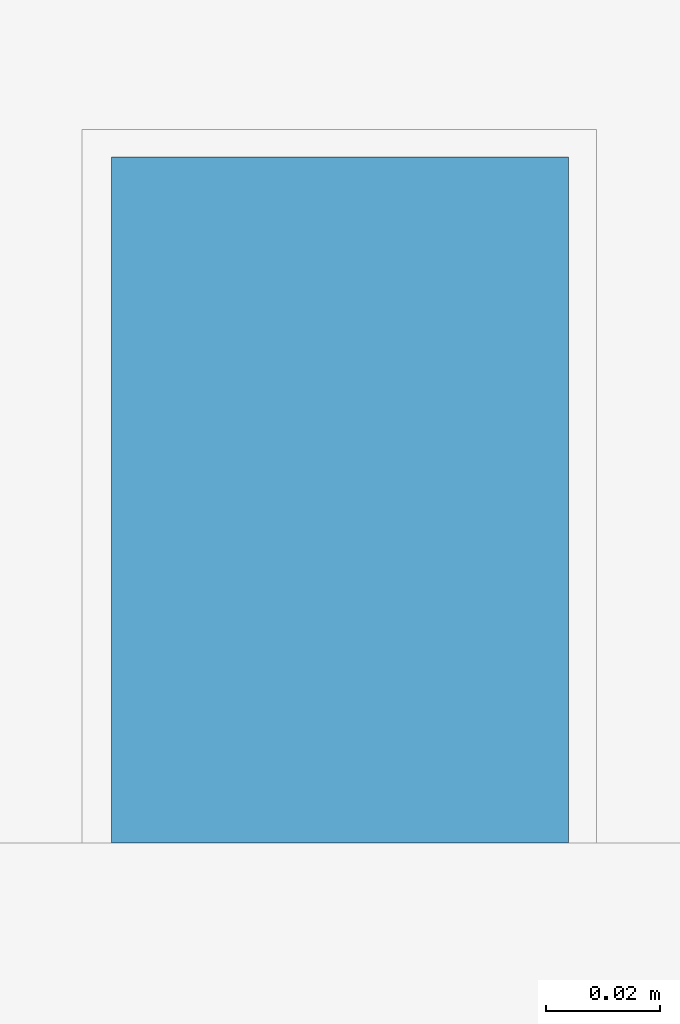
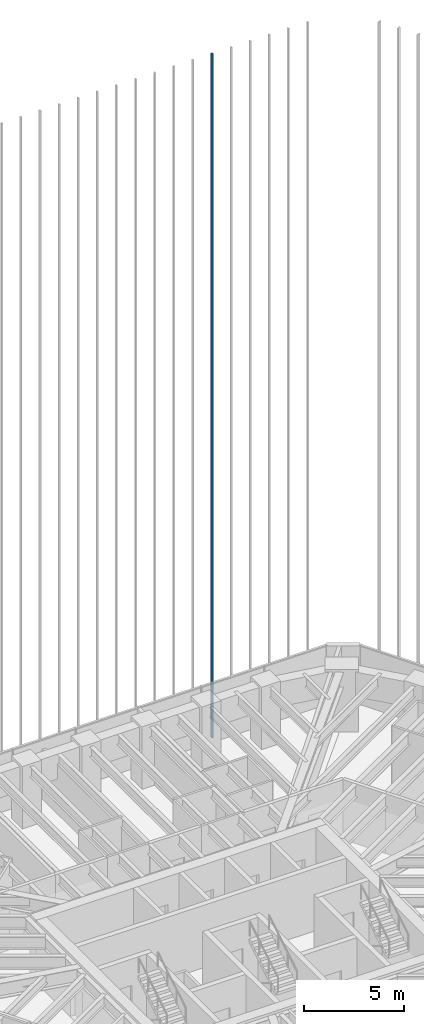
# One storey, part 100 of 127: 1 member, 1 element without a shape of its own.
"""IFC4 building model written with IfcOpenShell, lengths in metres."""

from ifc_helpers import new_model, si_unit, direction, frame, origin, origin_2d, place, context, subcontext, project, spatial, rectangle, extrude, material, material_profile, profile_set, type_object, element, aggregate, save


model = new_model("IFC4")

# Units and contexts
model_context = context("Model", 3, precision=1e-05, world=origin(), true_north=direction((0.0, 1.0)))
body_context = subcontext(model_context, "Body", "Model", "MODEL_VIEW")
ifc_project = project(units=[si_unit("LENGTHUNIT", "METRE"), si_unit("AREAUNIT", "SQUARE_METRE"), si_unit("VOLUMEUNIT", "CUBIC_METRE"), si_unit("PLANEANGLEUNIT", "RADIAN"), si_unit("MASSUNIT", "GRAM", prefix="KILO")], contexts=[model_context])

# Site, building, storey
site_placement = place(None, origin())
site = spatial("IfcSite", under=ifc_project, at=site_placement, CompositionType="ELEMENT")
building_placement = place(site_placement, origin())
building = spatial("IfcBuilding", under=site, at=building_placement, Name="Sandreach Pilgrim Tower", CompositionType="ELEMENT")
storey_placement = place(building_placement, frame((0.0, 0.0, 257.0)))
storey = spatial("IfcBuildingStorey", under=building, at=storey_placement, Name="L64", CompositionType="ELEMENT", Elevation=257.0)

# Curtain wall, member
ifc_material_1 = material(Name="Aluminium framed curtain wall", Category="aluminium")
curtain_wall_type = type_object("IfcCurtainWallType", Name="Suite tower curtain wall", PredefinedType="NOTDEFINED", material=ifc_material_1)
curtain_wall_placement = place(storey_placement, origin())
curtain_wall = element("IfcCurtainWall", 1, at=curtain_wall_placement, inside=storey, type_object=curtain_wall_type, Name="CW-4 L64 N", PredefinedType="NOTDEFINED")
ifc_material_2 = material(Name="Extruded terracotta on aluminium core", Category="masonry")
ifc_material_profile = material_profile(ifc_material_2, rectangle(XDim=0.080078125, YDim=0.1201171875, at=origin_2d()), Name="TBN 80X120")
ifc_profile_set = profile_set([ifc_material_profile], Name="Extruded terracotta on aluminium core")
member_type = type_object("IfcMemberType", Name="Terracotta baguette north", PredefinedType="USERDEFINED", material=ifc_profile_set)
member_placement = place(storey_placement, frame((9.90380859375, 20.1865234375, 0.0), z_axis=(0.0, 0.0, 1.0), x_axis=(1.0, 0.0, 0.0)))
member = element("IfcMember", 2, at=member_placement, type_object=member_type, Name="Baguette Z4 N24", ObjectType="BAGUETTE", PredefinedType="USERDEFINED", context=body_context, shape_type="SweptSolid", body=[
    extrude(rectangle(XDim=0.080078125, YDim=0.1201171875, at=origin_2d()), origin(), (0.0, 0.0, 1.0), 41.639892578125),
])
aggregate(curtain_wall, [member])

save(model, "model.ifc")
